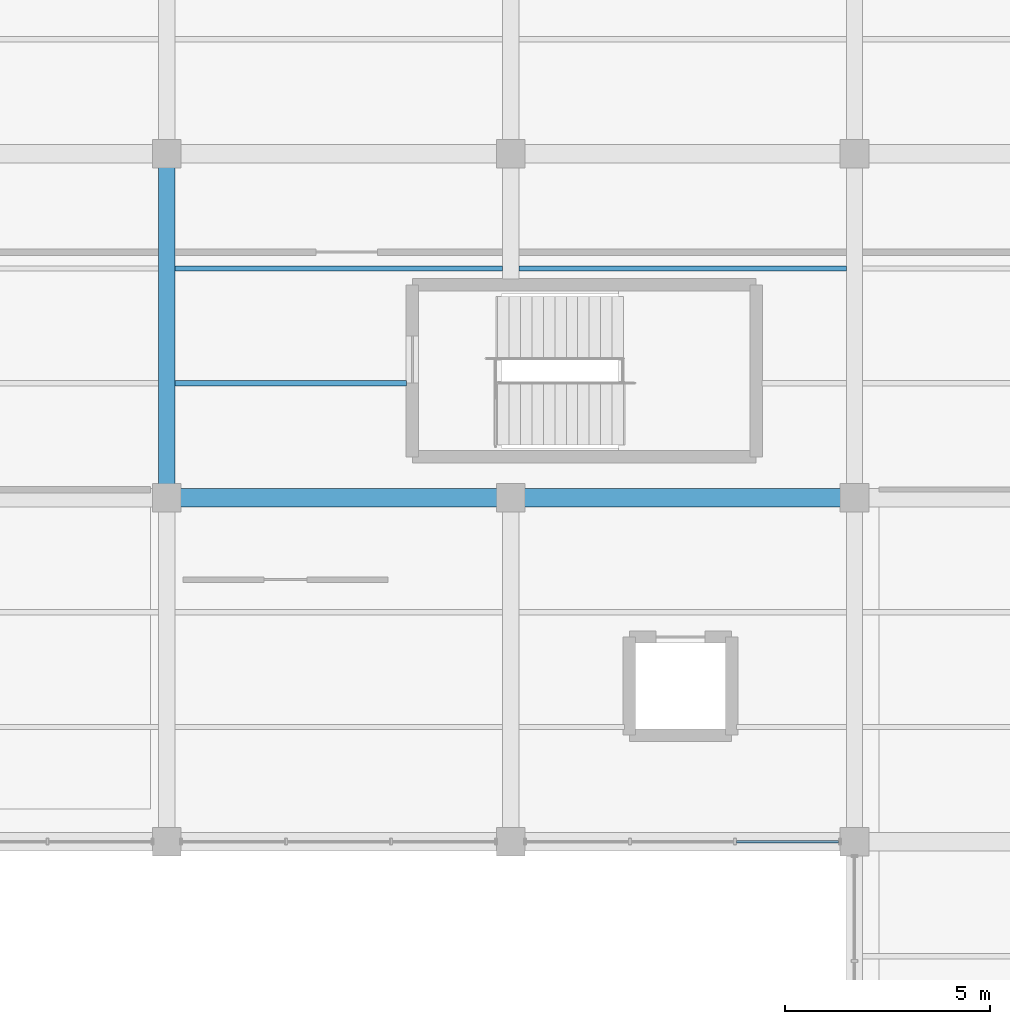
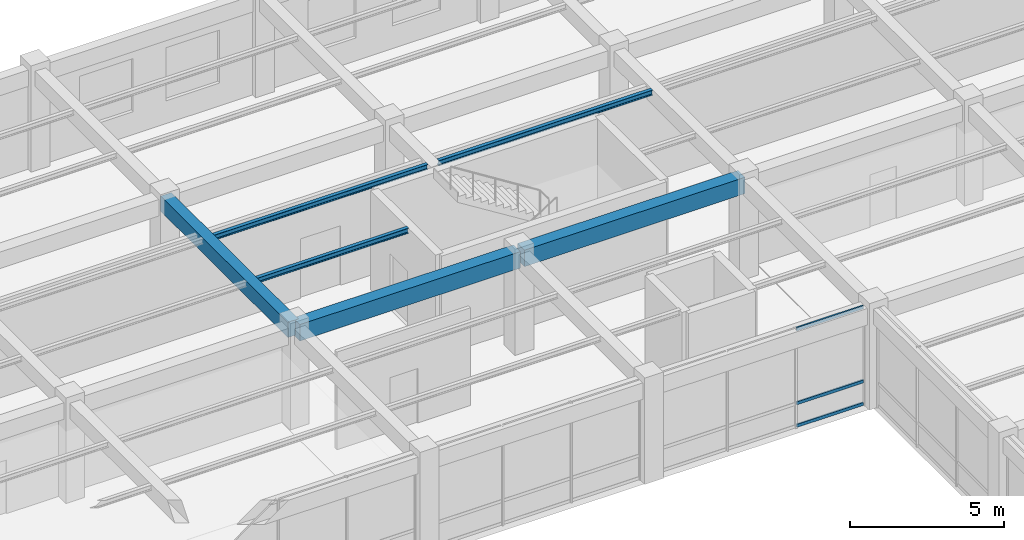
# One storey, part 22 of 152: 6 beams, 3 members, 1 element without a shape of its own.
"""IFC4 building model written with IfcOpenShell, lengths in metres."""

from ifc_helpers import new_model, si_unit, direction, frame, origin, origin_2d, place, context, subcontext, project, spatial, rectangle, hollow_rectangle, i_section, extrude, material, material_profile, profile_set, type_object, element, aggregate, save


model = new_model("IFC4")

# Units and contexts
model_context = context("Model", 3, precision=1e-05, world=origin(), true_north=direction((0.0, 1.0)))
body_context = subcontext(model_context, "Body", "Model", "MODEL_VIEW")
ifc_project = project(units=[si_unit("LENGTHUNIT", "METRE"), si_unit("AREAUNIT", "SQUARE_METRE"), si_unit("VOLUMEUNIT", "CUBIC_METRE"), si_unit("PLANEANGLEUNIT", "RADIAN"), si_unit("MASSUNIT", "GRAM", prefix="KILO"), si_unit("THERMODYNAMICTEMPERATUREUNIT", "KELVIN"), si_unit("POWERUNIT", "WATT")], contexts=[model_context])

# Site, building, storey
site_placement = place(None, origin())
site = spatial("IfcSite", under=ifc_project, at=site_placement, CompositionType="ELEMENT")
building_placement = place(site_placement, origin())
building = spatial("IfcBuilding", under=site, at=building_placement, Name="Darbajah Civic Hall", CompositionType="ELEMENT")
storey_placement = place(building_placement, frame((0.0, 0.0, 5.39990234375)))
storey = spatial("IfcBuildingStorey", under=building, at=storey_placement, Name="L01", CompositionType="ELEMENT", Elevation=5.39990234375)

# Curtain wall, members
ifc_material_1 = material(Name="Anodised Bronze Aluminium and Low-E Glazing", Category="aluminium")
curtain_wall_type = type_object("IfcCurtainWallType", Name="Unitised Curtain Wall CW-99 7700x3950", PredefinedType="USERDEFINED", material=ifc_material_1)
curtain_wall_placement = place(storey_placement, origin())
curtain_wall = element("IfcCurtainWall", 1, at=curtain_wall_placement, inside=storey, type_object=curtain_wall_type, Name="L01 unitised curtain wall CW-V5-L01-S2-B3", ObjectType="UNITISED CURTAIN WALL", PredefinedType="USERDEFINED")
ifc_material_2 = material(Name="Anodised Bronze Aluminium", Category="aluminium")
ifc_material_profile_1 = material_profile(ifc_material_2, hollow_rectangle(XDim=0.06005859375, YDim=0.1201171875, WallThickness=0.003173828125, at=origin_2d()), Name="ALU TRANSOM 60x120")
ifc_profile_set_1 = profile_set([ifc_material_profile_1], Name="Anodised Bronze Aluminium")
member_type = type_object("IfcMemberType", Name="ALU TRANSOM 60x120", PredefinedType="USERDEFINED", material=ifc_profile_set_1)
member_1_placement = place(storey_placement, frame((47.517578125, 16.800048828125, 0.06005859375), z_axis=(1.0, 0.0, 0.0), x_axis=(0.0, 1.0, 0.0)))
member_1 = element("IfcMember", 2, at=member_1_placement, type_object=member_type, Name="CW-V5-L01-S2-B3 transom 3.1", ObjectType="TRANSOM", PredefinedType="USERDEFINED", context=body_context, shape_type="SweptSolid", body=[
    extrude(hollow_rectangle(XDim=0.06005859375, YDim=0.1201171875, WallThickness=0.003173828125, at=origin_2d()), origin(), (0.0, 0.0, 1.0), 2.495361328125),
])
member_2_placement = place(storey_placement, frame((47.517578125, 16.800048828125, 0.9501953125), z_axis=(1.0, 0.0, 0.0), x_axis=(0.0, 1.0, 0.0)))
member_2 = element("IfcMember", 3, at=member_2_placement, type_object=member_type, Name="CW-V5-L01-S2-B3 transom 3.2", ObjectType="TRANSOM", PredefinedType="USERDEFINED", context=body_context, shape_type="SweptSolid", body=[
    extrude(hollow_rectangle(XDim=0.06005859375, YDim=0.1201171875, WallThickness=0.003173828125, at=origin_2d()), origin(), (0.0, 0.0, 1.0), 2.495361328125),
])
member_3_placement = place(storey_placement, frame((47.517578125, 16.800048828125, 3.880126953125), z_axis=(1.0, 0.0, 0.0), x_axis=(0.0, 1.0, 0.0)))
member_3 = element("IfcMember", 4, at=member_3_placement, type_object=member_type, Name="CW-V5-L01-S2-B3 transom 3.3", ObjectType="TRANSOM", PredefinedType="USERDEFINED", context=body_context, shape_type="SweptSolid", body=[
    extrude(hollow_rectangle(XDim=0.06005859375, YDim=0.1201171875, WallThickness=0.003173828125, at=origin_2d()), origin(), (0.0, 0.0, 1.0), 2.495361328125),
])
aggregate(curtain_wall, [member_1, member_2, member_3])

# Beams
ifc_material_3 = material(Name="Concrete C45/55", Category="concrete")
ifc_material_profile_2 = material_profile(ifc_material_3, rectangle(XDim=0.39990234375, YDim=0.60009765625, at=origin_2d()), Name="RC BEAM 400x600")
ifc_profile_set_2 = profile_set([ifc_material_profile_2], Name="Concrete C45/55")
beam_type_1 = type_object("IfcBeamType", Name="RC BEAM 400x600", PredefinedType="BEAM", material=ifc_profile_set_2)
beam_1_placement = place(storey_placement, frame((33.60009765625, 25.280029296875, 3.64013671875), z_axis=(0.0, 1.0, 0.0), x_axis=(-1.0, 0.0, 0.0)))
element("IfcBeam", 5, at=beam_1_placement, inside=storey, type_object=beam_type_1, Name="L01 beam BM-4060", PredefinedType="BEAM", context=body_context, shape_type="SweptSolid", body=[
    extrude(rectangle(XDim=0.39990234375, YDim=0.60009765625, at=origin_2d()), origin(), (0.0, 0.0, 1.0), 8.239990234375),
])
ifc_material_profile_3 = material_profile(ifc_material_3, rectangle(XDim=0.449951171875, YDim=0.64990234375, at=origin_2d()), Name="RC BEAM 450x650")
ifc_profile_set_3 = profile_set([ifc_material_profile_3], Name="Concrete C45/55")
beam_type_2 = type_object("IfcBeamType", Name="RC BEAM 450x650", PredefinedType="BEAM", material=ifc_profile_set_3)
for number, where, z_axis, x_axis, name in (
    (6, (33.679931640625, 25.199951171875, 3.614990234375), (1.0, 0.0, 0.0), (0.0, 1.0, 0.0), "L01 beam BM-4565"),
    (7, (42.080078125, 25.199951171875, 3.614990234375), (1.0, 0.0, 0.0), (0.0, 1.0, 0.0), "L01 beam BM-4565"),
):
    element("IfcBeam", number, at=place(storey_placement, frame(where, z_axis=z_axis, x_axis=x_axis)), inside=storey, type_object=beam_type_2, Name=name, PredefinedType="BEAM", context=body_context, shape_type="SweptSolid", body=[
        extrude(rectangle(XDim=0.449951171875, YDim=0.64990234375, at=origin_2d()), origin(), (0.0, 0.0, 1.0), 8.239990234375),
    ])
ifc_material_4 = material(Name="Steel S355JR", Category="steel")
ifc_material_profile_4 = material_profile(ifc_material_4, i_section(OverallWidth=0.1337890625, OverallDepth=0.206787109375, WebThickness=0.00634765625, FlangeThickness=0.009521484375, FilletRadius=0.007568359375, at=origin_2d()), Name="UB 203x133x30")
ifc_profile_set_4 = profile_set([ifc_material_profile_4], Name="Steel S355JR")
beam_type_3 = type_object("IfcBeamType", Name="UB 203x133x30", PredefinedType="JOIST", material=ifc_profile_set_4)
beam_2_placement = place(storey_placement, frame((33.800048828125, 28.0, 3.836669921875), z_axis=(1.0, 0.0, 0.0), x_axis=(0.0, 1.0, 0.0)))
element("IfcBeam", 8, at=beam_2_placement, inside=storey, type_object=beam_type_3, Name="L01 beam SJ-203", PredefinedType="JOIST", context=body_context, shape_type="SweptSolid", body=[
    extrude(i_section(OverallWidth=0.1337890625, OverallDepth=0.206787109375, WebThickness=0.00634765625, FlangeThickness=0.009521484375, FilletRadius=0.007568359375, at=origin_2d()), origin(), (0.0, 0.0, 1.0), 5.659912109375),
])
for number, where, z_axis, x_axis, name in (
    (9, (33.800048828125, 30.800048828125, 3.836669921875), (1.0, 0.0, 0.0), (0.0, 1.0, 0.0), "L01 beam SJ-203"),
    (10, (42.199951171875, 30.800048828125, 3.836669921875), (1.0, 0.0, 0.0), (0.0, 1.0, 0.0), "L01 beam SJ-203"),
):
    element("IfcBeam", number, at=place(storey_placement, frame(where, z_axis=z_axis, x_axis=x_axis)), inside=storey, type_object=beam_type_3, Name=name, PredefinedType="JOIST", context=body_context, shape_type="SweptSolid", body=[
        extrude(i_section(OverallWidth=0.1337890625, OverallDepth=0.206787109375, WebThickness=0.00634765625, FlangeThickness=0.009521484375, FilletRadius=0.007568359375, at=origin_2d()), origin(), (0.0, 0.0, 1.0), 8.0),
    ])

save(model, "model.ifc")
